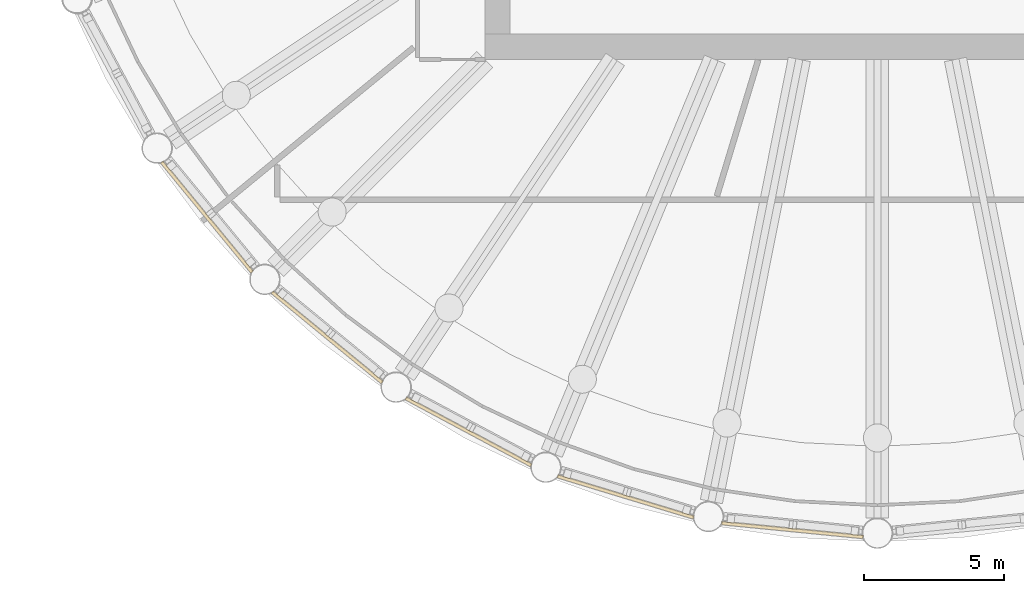
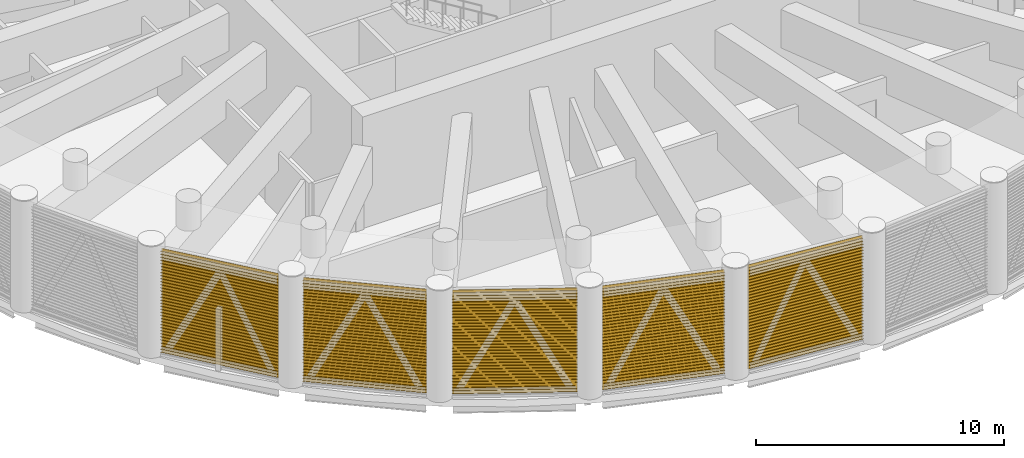
# One storey, part 16 of 23: 5 shading devices, 5 elements without a shape of their own.
"""IFC4 building model written with IfcOpenShell, lengths in metres."""

from ifc_helpers import new_model, si_unit, direction, frame, origin, place, context, subcontext, project, spatial, polyline, outline, extrude, material, material_profile, profile_set, type_object, element, aggregate, save


model = new_model("IFC4")

# Units and contexts
model_context = context("Model", 3, precision=1e-05, world=origin(), true_north=direction((0.0, 1.0)))
body_context = subcontext(model_context, "Body", "Model", "MODEL_VIEW")
ifc_project = project(units=[si_unit("LENGTHUNIT", "METRE"), si_unit("AREAUNIT", "SQUARE_METRE"), si_unit("VOLUMEUNIT", "CUBIC_METRE"), si_unit("PLANEANGLEUNIT", "RADIAN"), si_unit("MASSUNIT", "GRAM", prefix="KILO")], contexts=[model_context])

# Site, building, storey
site_placement = place(None, origin())
site = spatial("IfcSite", under=ifc_project, at=site_placement, CompositionType="ELEMENT")
building_placement = place(site_placement, origin())
building = spatial("IfcBuilding", under=site, at=building_placement, Name="Corvane Civic Tower", CompositionType="ELEMENT")
storey_placement = place(building_placement, frame((0.0, 0.0, 196.0)))
storey = spatial("IfcBuildingStorey", under=building, at=storey_placement, Name="L46", CompositionType="ELEMENT", Elevation=196.0)

# Curtain wall, shading device
ifc_material_1 = material(Name="Anodised aluminium bronze", Category="aluminium")
curtain_wall_type = type_object("IfcCurtainWallType", Name="TOWER CW-LV LOUVRE SCREEN WALL", PredefinedType="NOTDEFINED", material=ifc_material_1)
curtain_wall_1_placement = place(storey_placement, origin())
curtain_wall_1 = element("IfcCurtainWall", 1, at=curtain_wall_1_placement, inside=storey, type_object=curtain_wall_type, Name="Louvre screen wall CW-LV L46 bay 17", PredefinedType="NOTDEFINED")
ifc_material_2 = material(Name="Anodised aluminium bronze", Category="aluminium")
ifc_material_profile = material_profile(ifc_material_2, outline(polyline([(-0.06005859375, -2.56494140625), (-0.0400390625, -2.56494140625), (0.06005859375, -2.492919921875), (0.06005859375, -2.472900390625), (-0.0400390625, -2.544921875), (-0.0400390625, -2.4140625), (0.06005859375, -2.342041015625), (0.06005859375, -2.322021484375), (-0.0400390625, -2.39404296875), (-0.0400390625, -2.26318359375), (0.06005859375, -2.191162109375), (0.06005859375, -2.171142578125), (-0.0400390625, -2.2431640625), (-0.0400390625, -2.1123046875), (0.06005859375, -2.040283203125), (0.06005859375, -2.0205078125), (-0.0400390625, -2.09228515625), (-0.0400390625, -1.96142578125), (0.06005859375, -1.889404296875), (0.06005859375, -1.869384765625), (-0.0400390625, -1.94140625), (-0.0400390625, -1.810546875), (0.06005859375, -1.738525390625), (0.06005859375, -1.718505859375), (-0.0400390625, -1.79052734375), (-0.0400390625, -1.65966796875), (0.06005859375, -1.587646484375), (0.06005859375, -1.567626953125), (-0.0400390625, -1.6396484375), (-0.0400390625, -1.5087890625), (0.06005859375, -1.436767578125), (0.06005859375, -1.416748046875), (-0.0400390625, -1.48876953125), (-0.0400390625, -1.35791015625), (0.06005859375, -1.285888671875), (0.06005859375, -1.265869140625), (-0.0400390625, -1.337890625), (-0.0400390625, -1.20703125), (0.06005859375, -1.135009765625), (0.06005859375, -1.114990234375), (-0.0400390625, -1.18701171875), (-0.0400390625, -1.05615234375), (0.06005859375, -0.984130859375), (0.06005859375, -0.964111328125), (-0.0400390625, -1.0361328125), (-0.0400390625, -0.9052734375), (0.06005859375, -0.833251953125), (0.06005859375, -0.813232421875), (-0.0400390625, -0.88525390625), (-0.0400390625, -0.75439453125), (0.06005859375, -0.682373046875), (0.06005859375, -0.662353515625), (-0.0400390625, -0.734375), (-0.0400390625, -0.603515625), (0.06005859375, -0.531494140625), (0.06005859375, -0.511474609375), (-0.0400390625, -0.58349609375), (-0.0400390625, -0.45263671875), (0.06005859375, -0.380615234375), (0.06005859375, -0.360595703125), (-0.0400390625, -0.4326171875), (-0.0400390625, -0.3017578125), (0.06005859375, -0.229736328125), (0.06005859375, -0.209716796875), (-0.0400390625, -0.28173828125), (-0.0400390625, -0.15087890625), (0.06005859375, -0.078857421875), (0.06005859375, -0.058837890625), (-0.0400390625, -0.130859375), (-0.0400390625, 0.0), (0.06005859375, 0.072021484375), (0.06005859375, 0.092041015625), (-0.0400390625, 0.02001953125), (-0.0400390625, 0.15087890625), (0.06005859375, 0.222900390625), (0.06005859375, 0.242919921875), (-0.0400390625, 0.1708984375), (-0.0400390625, 0.3017578125), (0.06005859375, 0.373779296875), (0.06005859375, 0.393798828125), (-0.0400390625, 0.32177734375), (-0.0400390625, 0.45263671875), (0.06005859375, 0.524658203125), (0.06005859375, 0.544677734375), (-0.0400390625, 0.47265625), (-0.0400390625, 0.603515625), (0.06005859375, 0.675537109375), (0.06005859375, 0.695556640625), (-0.0400390625, 0.62353515625), (-0.0400390625, 0.75439453125), (0.06005859375, 0.826416015625), (0.06005859375, 0.846435546875), (-0.0400390625, 0.7744140625), (-0.0400390625, 0.9052734375), (0.06005859375, 0.977294921875), (0.06005859375, 0.997314453125), (-0.0400390625, 0.92529296875), (-0.0400390625, 1.05615234375), (0.06005859375, 1.128173828125), (0.06005859375, 1.148193359375), (-0.0400390625, 1.076171875), (-0.0400390625, 1.20703125), (0.06005859375, 1.279052734375), (0.06005859375, 1.299072265625), (-0.0400390625, 1.22705078125), (-0.0400390625, 1.35791015625), (0.06005859375, 1.429931640625), (0.06005859375, 1.449951171875), (-0.0400390625, 1.3779296875), (-0.0400390625, 1.5087890625), (0.06005859375, 1.580810546875), (0.06005859375, 1.600830078125), (-0.0400390625, 1.52880859375), (-0.0400390625, 1.65966796875), (0.06005859375, 1.731689453125), (0.06005859375, 1.751708984375), (-0.0400390625, 1.6796875), (-0.0400390625, 1.810546875), (0.06005859375, 1.882568359375), (0.06005859375, 1.902587890625), (-0.0400390625, 1.83056640625), (-0.0400390625, 1.96142578125), (0.06005859375, 2.033447265625), (0.06005859375, 2.053466796875), (-0.0400390625, 1.9814453125), (-0.0400390625, 2.1123046875), (0.06005859375, 2.184326171875), (0.06005859375, 2.204345703125), (-0.0400390625, 2.13232421875), (-0.0400390625, 2.26318359375), (0.06005859375, 2.335205078125), (0.06005859375, 2.355224609375), (-0.0400390625, 2.283203125), (-0.0400390625, 2.4140625), (0.06005859375, 2.486083984375), (0.06005859375, 2.506103515625), (-0.0400390625, 2.43408203125), (-0.0400390625, 2.56494140625), (-0.06005859375, 2.56494140625), (-0.06005859375, -2.56494140625)])), Name="TOWER LOUVRE BANK 5130 BRONZE")
ifc_profile_set = profile_set([ifc_material_profile], Name="Anodised aluminium bronze")
shading_device_type = type_object("IfcShadingDeviceType", Name="TOWER LOUVRE BANK 5130 BRONZE", PredefinedType="USERDEFINED", material=ifc_profile_set)
shading_device_1_placement = place(storey_placement, frame((-0.505126953125, -31.0302734375, 2.68505859375), z_axis=(-0.995187423416, 0.097989755963, 0.0), x_axis=(-0.097989755963, -0.995187423416, 0.0)))
shading_device_1 = element("IfcShadingDevice", 2, at=shading_device_1_placement, type_object=shading_device_type, Name="Louvre bank L46 17.1", ObjectType="LOUVRE", PredefinedType="USERDEFINED", context=body_context, shape_type="SweptSolid", body=[
    extrude(outline(polyline([(-0.06005859375, -2.56494140625), (-0.0400390625, -2.56494140625), (0.06005859375, -2.492919921875), (0.06005859375, -2.472900390625), (-0.0400390625, -2.544921875), (-0.0400390625, -2.4140625), (0.06005859375, -2.342041015625), (0.06005859375, -2.322021484375), (-0.0400390625, -2.39404296875), (-0.0400390625, -2.26318359375), (0.06005859375, -2.191162109375), (0.06005859375, -2.171142578125), (-0.0400390625, -2.2431640625), (-0.0400390625, -2.1123046875), (0.06005859375, -2.040283203125), (0.06005859375, -2.0205078125), (-0.0400390625, -2.09228515625), (-0.0400390625, -1.96142578125), (0.06005859375, -1.889404296875), (0.06005859375, -1.869384765625), (-0.0400390625, -1.94140625), (-0.0400390625, -1.810546875), (0.06005859375, -1.738525390625), (0.06005859375, -1.718505859375), (-0.0400390625, -1.79052734375), (-0.0400390625, -1.65966796875), (0.06005859375, -1.587646484375), (0.06005859375, -1.567626953125), (-0.0400390625, -1.6396484375), (-0.0400390625, -1.5087890625), (0.06005859375, -1.436767578125), (0.06005859375, -1.416748046875), (-0.0400390625, -1.48876953125), (-0.0400390625, -1.35791015625), (0.06005859375, -1.285888671875), (0.06005859375, -1.265869140625), (-0.0400390625, -1.337890625), (-0.0400390625, -1.20703125), (0.06005859375, -1.135009765625), (0.06005859375, -1.114990234375), (-0.0400390625, -1.18701171875), (-0.0400390625, -1.05615234375), (0.06005859375, -0.984130859375), (0.06005859375, -0.964111328125), (-0.0400390625, -1.0361328125), (-0.0400390625, -0.9052734375), (0.06005859375, -0.833251953125), (0.06005859375, -0.813232421875), (-0.0400390625, -0.88525390625), (-0.0400390625, -0.75439453125), (0.06005859375, -0.682373046875), (0.06005859375, -0.662353515625), (-0.0400390625, -0.734375), (-0.0400390625, -0.603515625), (0.06005859375, -0.531494140625), (0.06005859375, -0.511474609375), (-0.0400390625, -0.58349609375), (-0.0400390625, -0.45263671875), (0.06005859375, -0.380615234375), (0.06005859375, -0.360595703125), (-0.0400390625, -0.4326171875), (-0.0400390625, -0.3017578125), (0.06005859375, -0.229736328125), (0.06005859375, -0.209716796875), (-0.0400390625, -0.28173828125), (-0.0400390625, -0.15087890625), (0.06005859375, -0.078857421875), (0.06005859375, -0.058837890625), (-0.0400390625, -0.130859375), (-0.0400390625, 0.0), (0.06005859375, 0.072021484375), (0.06005859375, 0.092041015625), (-0.0400390625, 0.02001953125), (-0.0400390625, 0.15087890625), (0.06005859375, 0.222900390625), (0.06005859375, 0.242919921875), (-0.0400390625, 0.1708984375), (-0.0400390625, 0.3017578125), (0.06005859375, 0.373779296875), (0.06005859375, 0.393798828125), (-0.0400390625, 0.32177734375), (-0.0400390625, 0.45263671875), (0.06005859375, 0.524658203125), (0.06005859375, 0.544677734375), (-0.0400390625, 0.47265625), (-0.0400390625, 0.603515625), (0.06005859375, 0.675537109375), (0.06005859375, 0.695556640625), (-0.0400390625, 0.62353515625), (-0.0400390625, 0.75439453125), (0.06005859375, 0.826416015625), (0.06005859375, 0.846435546875), (-0.0400390625, 0.7744140625), (-0.0400390625, 0.9052734375), (0.06005859375, 0.977294921875), (0.06005859375, 0.997314453125), (-0.0400390625, 0.92529296875), (-0.0400390625, 1.05615234375), (0.06005859375, 1.128173828125), (0.06005859375, 1.148193359375), (-0.0400390625, 1.076171875), (-0.0400390625, 1.20703125), (0.06005859375, 1.279052734375), (0.06005859375, 1.299072265625), (-0.0400390625, 1.22705078125), (-0.0400390625, 1.35791015625), (0.06005859375, 1.429931640625), (0.06005859375, 1.449951171875), (-0.0400390625, 1.3779296875), (-0.0400390625, 1.5087890625), (0.06005859375, 1.580810546875), (0.06005859375, 1.600830078125), (-0.0400390625, 1.52880859375), (-0.0400390625, 1.65966796875), (0.06005859375, 1.731689453125), (0.06005859375, 1.751708984375), (-0.0400390625, 1.6796875), (-0.0400390625, 1.810546875), (0.06005859375, 1.882568359375), (0.06005859375, 1.902587890625), (-0.0400390625, 1.83056640625), (-0.0400390625, 1.96142578125), (0.06005859375, 2.033447265625), (0.06005859375, 2.053466796875), (-0.0400390625, 1.9814453125), (-0.0400390625, 2.1123046875), (0.06005859375, 2.184326171875), (0.06005859375, 2.204345703125), (-0.0400390625, 2.13232421875), (-0.0400390625, 2.26318359375), (0.06005859375, 2.335205078125), (0.06005859375, 2.355224609375), (-0.0400390625, 2.283203125), (-0.0400390625, 2.4140625), (0.06005859375, 2.486083984375), (0.06005859375, 2.506103515625), (-0.0400390625, 2.43408203125), (-0.0400390625, 2.56494140625), (-0.06005859375, 2.56494140625), (-0.06005859375, -2.56494140625)])), origin(), (0.0, 0.0, 1.0), 5.07763671875),
])
aggregate(curtain_wall_1, [shading_device_1])

curtain_wall_2_placement = place(storey_placement, origin())
curtain_wall_2 = element("IfcCurtainWall", 3, at=curtain_wall_2_placement, inside=storey, type_object=curtain_wall_type, Name="Louvre screen wall CW-LV L46 bay 18", PredefinedType="NOTDEFINED")
shading_device_2_placement = place(storey_placement, frame((-6.54931640625, -30.33544921875, 2.68505859375), z_axis=(-0.956939031389, 0.290288977061, 0.0), x_axis=(-0.290288977061, -0.956939031389, 0.0)))
shading_device_2 = element("IfcShadingDevice", 4, at=shading_device_2_placement, type_object=shading_device_type, Name="Louvre bank L46 18.1", ObjectType="LOUVRE", PredefinedType="USERDEFINED", context=body_context, shape_type="SweptSolid", body=[
    extrude(outline(polyline([(-0.06005859375, -2.56494140625), (-0.0400390625, -2.56494140625), (0.06005859375, -2.492919921875), (0.06005859375, -2.472900390625), (-0.0400390625, -2.544921875), (-0.0400390625, -2.4140625), (0.06005859375, -2.342041015625), (0.06005859375, -2.322021484375), (-0.0400390625, -2.39404296875), (-0.0400390625, -2.26318359375), (0.06005859375, -2.191162109375), (0.06005859375, -2.171142578125), (-0.0400390625, -2.2431640625), (-0.0400390625, -2.1123046875), (0.06005859375, -2.040283203125), (0.06005859375, -2.0205078125), (-0.0400390625, -2.09228515625), (-0.0400390625, -1.96142578125), (0.06005859375, -1.889404296875), (0.06005859375, -1.869384765625), (-0.0400390625, -1.94140625), (-0.0400390625, -1.810546875), (0.06005859375, -1.738525390625), (0.06005859375, -1.718505859375), (-0.0400390625, -1.79052734375), (-0.0400390625, -1.65966796875), (0.06005859375, -1.587646484375), (0.06005859375, -1.567626953125), (-0.0400390625, -1.6396484375), (-0.0400390625, -1.5087890625), (0.06005859375, -1.436767578125), (0.06005859375, -1.416748046875), (-0.0400390625, -1.48876953125), (-0.0400390625, -1.35791015625), (0.06005859375, -1.285888671875), (0.06005859375, -1.265869140625), (-0.0400390625, -1.337890625), (-0.0400390625, -1.20703125), (0.06005859375, -1.135009765625), (0.06005859375, -1.114990234375), (-0.0400390625, -1.18701171875), (-0.0400390625, -1.05615234375), (0.06005859375, -0.984130859375), (0.06005859375, -0.964111328125), (-0.0400390625, -1.0361328125), (-0.0400390625, -0.9052734375), (0.06005859375, -0.833251953125), (0.06005859375, -0.813232421875), (-0.0400390625, -0.88525390625), (-0.0400390625, -0.75439453125), (0.06005859375, -0.682373046875), (0.06005859375, -0.662353515625), (-0.0400390625, -0.734375), (-0.0400390625, -0.603515625), (0.06005859375, -0.531494140625), (0.06005859375, -0.511474609375), (-0.0400390625, -0.58349609375), (-0.0400390625, -0.45263671875), (0.06005859375, -0.380615234375), (0.06005859375, -0.360595703125), (-0.0400390625, -0.4326171875), (-0.0400390625, -0.3017578125), (0.06005859375, -0.229736328125), (0.06005859375, -0.209716796875), (-0.0400390625, -0.28173828125), (-0.0400390625, -0.15087890625), (0.06005859375, -0.078857421875), (0.06005859375, -0.058837890625), (-0.0400390625, -0.130859375), (-0.0400390625, 0.0), (0.06005859375, 0.072021484375), (0.06005859375, 0.092041015625), (-0.0400390625, 0.02001953125), (-0.0400390625, 0.15087890625), (0.06005859375, 0.222900390625), (0.06005859375, 0.242919921875), (-0.0400390625, 0.1708984375), (-0.0400390625, 0.3017578125), (0.06005859375, 0.373779296875), (0.06005859375, 0.393798828125), (-0.0400390625, 0.32177734375), (-0.0400390625, 0.45263671875), (0.06005859375, 0.524658203125), (0.06005859375, 0.544677734375), (-0.0400390625, 0.47265625), (-0.0400390625, 0.603515625), (0.06005859375, 0.675537109375), (0.06005859375, 0.695556640625), (-0.0400390625, 0.62353515625), (-0.0400390625, 0.75439453125), (0.06005859375, 0.826416015625), (0.06005859375, 0.846435546875), (-0.0400390625, 0.7744140625), (-0.0400390625, 0.9052734375), (0.06005859375, 0.977294921875), (0.06005859375, 0.997314453125), (-0.0400390625, 0.92529296875), (-0.0400390625, 1.05615234375), (0.06005859375, 1.128173828125), (0.06005859375, 1.148193359375), (-0.0400390625, 1.076171875), (-0.0400390625, 1.20703125), (0.06005859375, 1.279052734375), (0.06005859375, 1.299072265625), (-0.0400390625, 1.22705078125), (-0.0400390625, 1.35791015625), (0.06005859375, 1.429931640625), (0.06005859375, 1.449951171875), (-0.0400390625, 1.3779296875), (-0.0400390625, 1.5087890625), (0.06005859375, 1.580810546875), (0.06005859375, 1.600830078125), (-0.0400390625, 1.52880859375), (-0.0400390625, 1.65966796875), (0.06005859375, 1.731689453125), (0.06005859375, 1.751708984375), (-0.0400390625, 1.6796875), (-0.0400390625, 1.810546875), (0.06005859375, 1.882568359375), (0.06005859375, 1.902587890625), (-0.0400390625, 1.83056640625), (-0.0400390625, 1.96142578125), (0.06005859375, 2.033447265625), (0.06005859375, 2.053466796875), (-0.0400390625, 1.9814453125), (-0.0400390625, 2.1123046875), (0.06005859375, 2.184326171875), (0.06005859375, 2.204345703125), (-0.0400390625, 2.13232421875), (-0.0400390625, 2.26318359375), (0.06005859375, 2.335205078125), (0.06005859375, 2.355224609375), (-0.0400390625, 2.283203125), (-0.0400390625, 2.4140625), (0.06005859375, 2.486083984375), (0.06005859375, 2.506103515625), (-0.0400390625, 2.43408203125), (-0.0400390625, 2.56494140625), (-0.06005859375, 2.56494140625), (-0.06005859375, -2.56494140625)])), origin(), (0.0, 0.0, 1.0), 5.077392578125),
])
aggregate(curtain_wall_2, [shading_device_2])

curtain_wall_3_placement = place(storey_placement, origin())
curtain_wall_3 = element("IfcCurtainWall", 5, at=curtain_wall_3_placement, inside=storey, type_object=curtain_wall_type, Name="Louvre screen wall CW-LV L46 bay 19", PredefinedType="NOTDEFINED")
shading_device_3_placement = place(storey_placement, frame((-12.341552734375, -28.474853515625, 2.68505859375), z_axis=(-0.881921329426, 0.471396615074, 0.0), x_axis=(-0.471396615074, -0.881921329426, 0.0)))
shading_device_3 = element("IfcShadingDevice", 6, at=shading_device_3_placement, type_object=shading_device_type, Name="Louvre bank L46 19.1", ObjectType="LOUVRE", PredefinedType="USERDEFINED", context=body_context, shape_type="SweptSolid", body=[
    extrude(outline(polyline([(-0.06005859375, -2.56494140625), (-0.0400390625, -2.56494140625), (0.06005859375, -2.492919921875), (0.06005859375, -2.472900390625), (-0.0400390625, -2.544921875), (-0.0400390625, -2.4140625), (0.06005859375, -2.342041015625), (0.06005859375, -2.322021484375), (-0.0400390625, -2.39404296875), (-0.0400390625, -2.26318359375), (0.06005859375, -2.191162109375), (0.06005859375, -2.171142578125), (-0.0400390625, -2.2431640625), (-0.0400390625, -2.1123046875), (0.06005859375, -2.040283203125), (0.06005859375, -2.0205078125), (-0.0400390625, -2.09228515625), (-0.0400390625, -1.96142578125), (0.06005859375, -1.889404296875), (0.06005859375, -1.869384765625), (-0.0400390625, -1.94140625), (-0.0400390625, -1.810546875), (0.06005859375, -1.738525390625), (0.06005859375, -1.718505859375), (-0.0400390625, -1.79052734375), (-0.0400390625, -1.65966796875), (0.06005859375, -1.587646484375), (0.06005859375, -1.567626953125), (-0.0400390625, -1.6396484375), (-0.0400390625, -1.5087890625), (0.06005859375, -1.436767578125), (0.06005859375, -1.416748046875), (-0.0400390625, -1.48876953125), (-0.0400390625, -1.35791015625), (0.06005859375, -1.285888671875), (0.06005859375, -1.265869140625), (-0.0400390625, -1.337890625), (-0.0400390625, -1.20703125), (0.06005859375, -1.135009765625), (0.06005859375, -1.114990234375), (-0.0400390625, -1.18701171875), (-0.0400390625, -1.05615234375), (0.06005859375, -0.984130859375), (0.06005859375, -0.964111328125), (-0.0400390625, -1.0361328125), (-0.0400390625, -0.9052734375), (0.06005859375, -0.833251953125), (0.06005859375, -0.813232421875), (-0.0400390625, -0.88525390625), (-0.0400390625, -0.75439453125), (0.06005859375, -0.682373046875), (0.06005859375, -0.662353515625), (-0.0400390625, -0.734375), (-0.0400390625, -0.603515625), (0.06005859375, -0.531494140625), (0.06005859375, -0.511474609375), (-0.0400390625, -0.58349609375), (-0.0400390625, -0.45263671875), (0.06005859375, -0.380615234375), (0.06005859375, -0.360595703125), (-0.0400390625, -0.4326171875), (-0.0400390625, -0.3017578125), (0.06005859375, -0.229736328125), (0.06005859375, -0.209716796875), (-0.0400390625, -0.28173828125), (-0.0400390625, -0.15087890625), (0.06005859375, -0.078857421875), (0.06005859375, -0.058837890625), (-0.0400390625, -0.130859375), (-0.0400390625, 0.0), (0.06005859375, 0.072021484375), (0.06005859375, 0.092041015625), (-0.0400390625, 0.02001953125), (-0.0400390625, 0.15087890625), (0.06005859375, 0.222900390625), (0.06005859375, 0.242919921875), (-0.0400390625, 0.1708984375), (-0.0400390625, 0.3017578125), (0.06005859375, 0.373779296875), (0.06005859375, 0.393798828125), (-0.0400390625, 0.32177734375), (-0.0400390625, 0.45263671875), (0.06005859375, 0.524658203125), (0.06005859375, 0.544677734375), (-0.0400390625, 0.47265625), (-0.0400390625, 0.603515625), (0.06005859375, 0.675537109375), (0.06005859375, 0.695556640625), (-0.0400390625, 0.62353515625), (-0.0400390625, 0.75439453125), (0.06005859375, 0.826416015625), (0.06005859375, 0.846435546875), (-0.0400390625, 0.7744140625), (-0.0400390625, 0.9052734375), (0.06005859375, 0.977294921875), (0.06005859375, 0.997314453125), (-0.0400390625, 0.92529296875), (-0.0400390625, 1.05615234375), (0.06005859375, 1.128173828125), (0.06005859375, 1.148193359375), (-0.0400390625, 1.076171875), (-0.0400390625, 1.20703125), (0.06005859375, 1.279052734375), (0.06005859375, 1.299072265625), (-0.0400390625, 1.22705078125), (-0.0400390625, 1.35791015625), (0.06005859375, 1.429931640625), (0.06005859375, 1.449951171875), (-0.0400390625, 1.3779296875), (-0.0400390625, 1.5087890625), (0.06005859375, 1.580810546875), (0.06005859375, 1.600830078125), (-0.0400390625, 1.52880859375), (-0.0400390625, 1.65966796875), (0.06005859375, 1.731689453125), (0.06005859375, 1.751708984375), (-0.0400390625, 1.6796875), (-0.0400390625, 1.810546875), (0.06005859375, 1.882568359375), (0.06005859375, 1.902587890625), (-0.0400390625, 1.83056640625), (-0.0400390625, 1.96142578125), (0.06005859375, 2.033447265625), (0.06005859375, 2.053466796875), (-0.0400390625, 1.9814453125), (-0.0400390625, 2.1123046875), (0.06005859375, 2.184326171875), (0.06005859375, 2.204345703125), (-0.0400390625, 2.13232421875), (-0.0400390625, 2.26318359375), (0.06005859375, 2.335205078125), (0.06005859375, 2.355224609375), (-0.0400390625, 2.283203125), (-0.0400390625, 2.4140625), (0.06005859375, 2.486083984375), (0.06005859375, 2.506103515625), (-0.0400390625, 2.43408203125), (-0.0400390625, 2.56494140625), (-0.06005859375, 2.56494140625), (-0.06005859375, -2.56494140625)])), origin(), (0.0, 0.0, 1.0), 5.07763671875),
])
aggregate(curtain_wall_3, [shading_device_3])

curtain_wall_4_placement = place(storey_placement, origin())
curtain_wall_4 = element("IfcCurtainWall", 7, at=curtain_wall_4_placement, inside=storey, type_object=curtain_wall_type, Name="Louvre screen wall CW-LV L46 bay 20", PredefinedType="NOTDEFINED")
shading_device_4_placement = place(storey_placement, frame((-17.65966796875, -25.519775390625, 2.68505859375), z_axis=(-0.773015929719, 0.634386611146, 0.0), x_axis=(-0.634386611146, -0.773015929719, 0.0)))
shading_device_4 = element("IfcShadingDevice", 8, at=shading_device_4_placement, type_object=shading_device_type, Name="Louvre bank L46 20.1", ObjectType="LOUVRE", PredefinedType="USERDEFINED", context=body_context, shape_type="SweptSolid", body=[
    extrude(outline(polyline([(-0.06005859375, -2.56494140625), (-0.0400390625, -2.56494140625), (0.06005859375, -2.492919921875), (0.06005859375, -2.472900390625), (-0.0400390625, -2.544921875), (-0.0400390625, -2.4140625), (0.06005859375, -2.342041015625), (0.06005859375, -2.322021484375), (-0.0400390625, -2.39404296875), (-0.0400390625, -2.26318359375), (0.06005859375, -2.191162109375), (0.06005859375, -2.171142578125), (-0.0400390625, -2.2431640625), (-0.0400390625, -2.1123046875), (0.06005859375, -2.040283203125), (0.06005859375, -2.0205078125), (-0.0400390625, -2.09228515625), (-0.0400390625, -1.96142578125), (0.06005859375, -1.889404296875), (0.06005859375, -1.869384765625), (-0.0400390625, -1.94140625), (-0.0400390625, -1.810546875), (0.06005859375, -1.738525390625), (0.06005859375, -1.718505859375), (-0.0400390625, -1.79052734375), (-0.0400390625, -1.65966796875), (0.06005859375, -1.587646484375), (0.06005859375, -1.567626953125), (-0.0400390625, -1.6396484375), (-0.0400390625, -1.5087890625), (0.06005859375, -1.436767578125), (0.06005859375, -1.416748046875), (-0.0400390625, -1.48876953125), (-0.0400390625, -1.35791015625), (0.06005859375, -1.285888671875), (0.06005859375, -1.265869140625), (-0.0400390625, -1.337890625), (-0.0400390625, -1.20703125), (0.06005859375, -1.135009765625), (0.06005859375, -1.114990234375), (-0.0400390625, -1.18701171875), (-0.0400390625, -1.05615234375), (0.06005859375, -0.984130859375), (0.06005859375, -0.964111328125), (-0.0400390625, -1.0361328125), (-0.0400390625, -0.9052734375), (0.06005859375, -0.833251953125), (0.06005859375, -0.813232421875), (-0.0400390625, -0.88525390625), (-0.0400390625, -0.75439453125), (0.06005859375, -0.682373046875), (0.06005859375, -0.662353515625), (-0.0400390625, -0.734375), (-0.0400390625, -0.603515625), (0.06005859375, -0.531494140625), (0.06005859375, -0.511474609375), (-0.0400390625, -0.58349609375), (-0.0400390625, -0.45263671875), (0.06005859375, -0.380615234375), (0.06005859375, -0.360595703125), (-0.0400390625, -0.4326171875), (-0.0400390625, -0.3017578125), (0.06005859375, -0.229736328125), (0.06005859375, -0.209716796875), (-0.0400390625, -0.28173828125), (-0.0400390625, -0.15087890625), (0.06005859375, -0.078857421875), (0.06005859375, -0.058837890625), (-0.0400390625, -0.130859375), (-0.0400390625, 0.0), (0.06005859375, 0.072021484375), (0.06005859375, 0.092041015625), (-0.0400390625, 0.02001953125), (-0.0400390625, 0.15087890625), (0.06005859375, 0.222900390625), (0.06005859375, 0.242919921875), (-0.0400390625, 0.1708984375), (-0.0400390625, 0.3017578125), (0.06005859375, 0.373779296875), (0.06005859375, 0.393798828125), (-0.0400390625, 0.32177734375), (-0.0400390625, 0.45263671875), (0.06005859375, 0.524658203125), (0.06005859375, 0.544677734375), (-0.0400390625, 0.47265625), (-0.0400390625, 0.603515625), (0.06005859375, 0.675537109375), (0.06005859375, 0.695556640625), (-0.0400390625, 0.62353515625), (-0.0400390625, 0.75439453125), (0.06005859375, 0.826416015625), (0.06005859375, 0.846435546875), (-0.0400390625, 0.7744140625), (-0.0400390625, 0.9052734375), (0.06005859375, 0.977294921875), (0.06005859375, 0.997314453125), (-0.0400390625, 0.92529296875), (-0.0400390625, 1.05615234375), (0.06005859375, 1.128173828125), (0.06005859375, 1.148193359375), (-0.0400390625, 1.076171875), (-0.0400390625, 1.20703125), (0.06005859375, 1.279052734375), (0.06005859375, 1.299072265625), (-0.0400390625, 1.22705078125), (-0.0400390625, 1.35791015625), (0.06005859375, 1.429931640625), (0.06005859375, 1.449951171875), (-0.0400390625, 1.3779296875), (-0.0400390625, 1.5087890625), (0.06005859375, 1.580810546875), (0.06005859375, 1.600830078125), (-0.0400390625, 1.52880859375), (-0.0400390625, 1.65966796875), (0.06005859375, 1.731689453125), (0.06005859375, 1.751708984375), (-0.0400390625, 1.6796875), (-0.0400390625, 1.810546875), (0.06005859375, 1.882568359375), (0.06005859375, 1.902587890625), (-0.0400390625, 1.83056640625), (-0.0400390625, 1.96142578125), (0.06005859375, 2.033447265625), (0.06005859375, 2.053466796875), (-0.0400390625, 1.9814453125), (-0.0400390625, 2.1123046875), (0.06005859375, 2.184326171875), (0.06005859375, 2.204345703125), (-0.0400390625, 2.13232421875), (-0.0400390625, 2.26318359375), (0.06005859375, 2.335205078125), (0.06005859375, 2.355224609375), (-0.0400390625, 2.283203125), (-0.0400390625, 2.4140625), (0.06005859375, 2.486083984375), (0.06005859375, 2.506103515625), (-0.0400390625, 2.43408203125), (-0.0400390625, 2.56494140625), (-0.06005859375, 2.56494140625), (-0.06005859375, -2.56494140625)])), origin(), (0.0, 0.0, 1.0), 5.0771484375),
])
aggregate(curtain_wall_4, [shading_device_4])

curtain_wall_5_placement = place(storey_placement, origin())
curtain_wall_5 = element("IfcCurtainWall", 9, at=curtain_wall_5_placement, inside=storey, type_object=curtain_wall_type, Name="Louvre screen wall CW-LV L46 bay 21", PredefinedType="NOTDEFINED")
shading_device_5_placement = place(storey_placement, frame((-22.298828125, -21.58447265625, 2.68505859375), z_axis=(-0.634386611146, 0.773015929719, 0.0), x_axis=(-0.773015929719, -0.634386611146, 0.0)))
shading_device_5 = element("IfcShadingDevice", 10, at=shading_device_5_placement, type_object=shading_device_type, Name="Louvre bank L46 21.1", ObjectType="LOUVRE", PredefinedType="USERDEFINED", context=body_context, shape_type="SweptSolid", body=[
    extrude(outline(polyline([(-0.06005859375, -2.56494140625), (-0.0400390625, -2.56494140625), (0.06005859375, -2.492919921875), (0.06005859375, -2.472900390625), (-0.0400390625, -2.544921875), (-0.0400390625, -2.4140625), (0.06005859375, -2.342041015625), (0.06005859375, -2.322021484375), (-0.0400390625, -2.39404296875), (-0.0400390625, -2.26318359375), (0.06005859375, -2.191162109375), (0.06005859375, -2.171142578125), (-0.0400390625, -2.2431640625), (-0.0400390625, -2.1123046875), (0.06005859375, -2.040283203125), (0.06005859375, -2.0205078125), (-0.0400390625, -2.09228515625), (-0.0400390625, -1.96142578125), (0.06005859375, -1.889404296875), (0.06005859375, -1.869384765625), (-0.0400390625, -1.94140625), (-0.0400390625, -1.810546875), (0.06005859375, -1.738525390625), (0.06005859375, -1.718505859375), (-0.0400390625, -1.79052734375), (-0.0400390625, -1.65966796875), (0.06005859375, -1.587646484375), (0.06005859375, -1.567626953125), (-0.0400390625, -1.6396484375), (-0.0400390625, -1.5087890625), (0.06005859375, -1.436767578125), (0.06005859375, -1.416748046875), (-0.0400390625, -1.48876953125), (-0.0400390625, -1.35791015625), (0.06005859375, -1.285888671875), (0.06005859375, -1.265869140625), (-0.0400390625, -1.337890625), (-0.0400390625, -1.20703125), (0.06005859375, -1.135009765625), (0.06005859375, -1.114990234375), (-0.0400390625, -1.18701171875), (-0.0400390625, -1.05615234375), (0.06005859375, -0.984130859375), (0.06005859375, -0.964111328125), (-0.0400390625, -1.0361328125), (-0.0400390625, -0.9052734375), (0.06005859375, -0.833251953125), (0.06005859375, -0.813232421875), (-0.0400390625, -0.88525390625), (-0.0400390625, -0.75439453125), (0.06005859375, -0.682373046875), (0.06005859375, -0.662353515625), (-0.0400390625, -0.734375), (-0.0400390625, -0.603515625), (0.06005859375, -0.531494140625), (0.06005859375, -0.511474609375), (-0.0400390625, -0.58349609375), (-0.0400390625, -0.45263671875), (0.06005859375, -0.380615234375), (0.06005859375, -0.360595703125), (-0.0400390625, -0.4326171875), (-0.0400390625, -0.3017578125), (0.06005859375, -0.229736328125), (0.06005859375, -0.209716796875), (-0.0400390625, -0.28173828125), (-0.0400390625, -0.15087890625), (0.06005859375, -0.078857421875), (0.06005859375, -0.058837890625), (-0.0400390625, -0.130859375), (-0.0400390625, 0.0), (0.06005859375, 0.072021484375), (0.06005859375, 0.092041015625), (-0.0400390625, 0.02001953125), (-0.0400390625, 0.15087890625), (0.06005859375, 0.222900390625), (0.06005859375, 0.242919921875), (-0.0400390625, 0.1708984375), (-0.0400390625, 0.3017578125), (0.06005859375, 0.373779296875), (0.06005859375, 0.393798828125), (-0.0400390625, 0.32177734375), (-0.0400390625, 0.45263671875), (0.06005859375, 0.524658203125), (0.06005859375, 0.544677734375), (-0.0400390625, 0.47265625), (-0.0400390625, 0.603515625), (0.06005859375, 0.675537109375), (0.06005859375, 0.695556640625), (-0.0400390625, 0.62353515625), (-0.0400390625, 0.75439453125), (0.06005859375, 0.826416015625), (0.06005859375, 0.846435546875), (-0.0400390625, 0.7744140625), (-0.0400390625, 0.9052734375), (0.06005859375, 0.977294921875), (0.06005859375, 0.997314453125), (-0.0400390625, 0.92529296875), (-0.0400390625, 1.05615234375), (0.06005859375, 1.128173828125), (0.06005859375, 1.148193359375), (-0.0400390625, 1.076171875), (-0.0400390625, 1.20703125), (0.06005859375, 1.279052734375), (0.06005859375, 1.299072265625), (-0.0400390625, 1.22705078125), (-0.0400390625, 1.35791015625), (0.06005859375, 1.429931640625), (0.06005859375, 1.449951171875), (-0.0400390625, 1.3779296875), (-0.0400390625, 1.5087890625), (0.06005859375, 1.580810546875), (0.06005859375, 1.600830078125), (-0.0400390625, 1.52880859375), (-0.0400390625, 1.65966796875), (0.06005859375, 1.731689453125), (0.06005859375, 1.751708984375), (-0.0400390625, 1.6796875), (-0.0400390625, 1.810546875), (0.06005859375, 1.882568359375), (0.06005859375, 1.902587890625), (-0.0400390625, 1.83056640625), (-0.0400390625, 1.96142578125), (0.06005859375, 2.033447265625), (0.06005859375, 2.053466796875), (-0.0400390625, 1.9814453125), (-0.0400390625, 2.1123046875), (0.06005859375, 2.184326171875), (0.06005859375, 2.204345703125), (-0.0400390625, 2.13232421875), (-0.0400390625, 2.26318359375), (0.06005859375, 2.335205078125), (0.06005859375, 2.355224609375), (-0.0400390625, 2.283203125), (-0.0400390625, 2.4140625), (0.06005859375, 2.486083984375), (0.06005859375, 2.506103515625), (-0.0400390625, 2.43408203125), (-0.0400390625, 2.56494140625), (-0.06005859375, 2.56494140625), (-0.06005859375, -2.56494140625)])), origin(), (0.0, 0.0, 1.0), 5.0771484375),
])
aggregate(curtain_wall_5, [shading_device_5])

save(model, "model.ifc")
